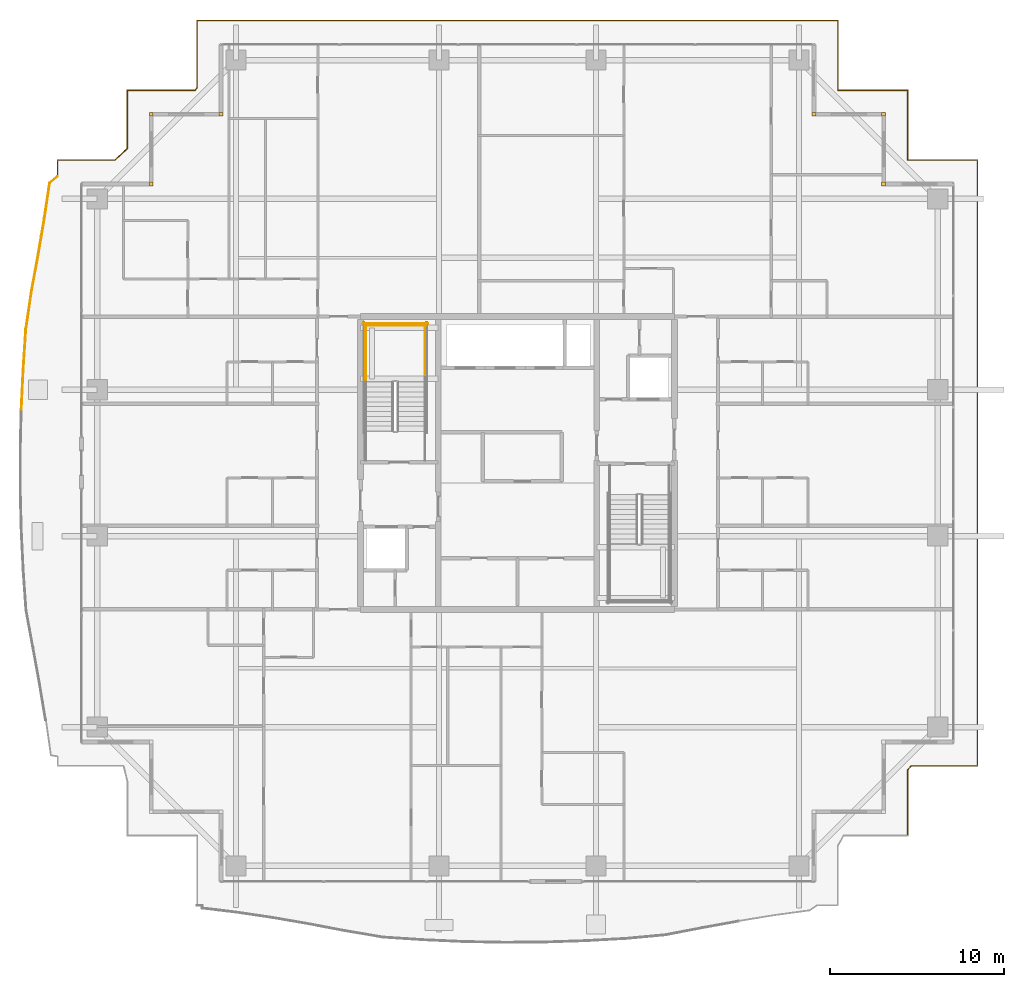
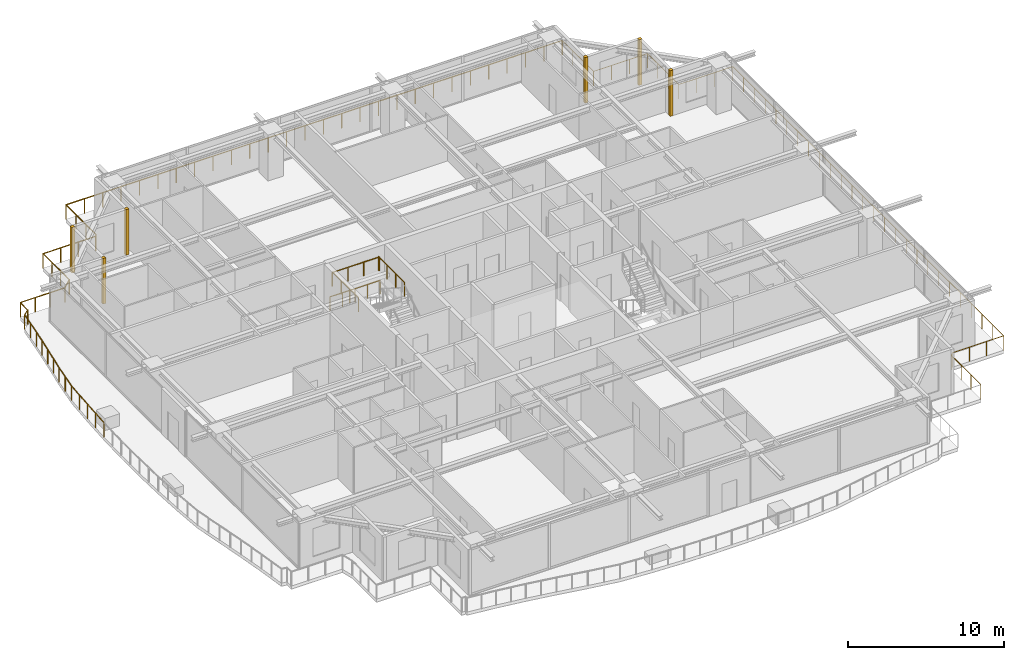
# One storey, part 36 of 36: 7 railings, 6 coverings.
"""IFC4 building model written with IfcOpenShell, lengths in metres."""

from ifc_helpers import new_model, si_unit, direction, frame, origin, origin_2d, place, context, subcontext, project, spatial, rectangle, circle, extrude, source, transform, mapped, material, layer, layer_set, type_object, element, save


model = new_model("IFC4")

# Units and contexts
model_context = context("Model", 3, precision=1e-05, world=origin(), true_north=direction((0.0, 1.0)))
body_context = subcontext(model_context, "Body", "Model", "MODEL_VIEW")
ifc_project = project(units=[si_unit("LENGTHUNIT", "METRE"), si_unit("AREAUNIT", "SQUARE_METRE"), si_unit("VOLUMEUNIT", "CUBIC_METRE"), si_unit("PLANEANGLEUNIT", "RADIAN"), si_unit("MASSUNIT", "GRAM", prefix="KILO")], contexts=[model_context])

# Site, building, storey
site_placement = place(None, origin())
site = spatial("IfcSite", under=ifc_project, at=site_placement, CompositionType="ELEMENT")
building_placement = place(site_placement, origin())
building = spatial("IfcBuilding", under=site, at=building_placement, Name="Serunith Strait Residences", CompositionType="ELEMENT")
storey_placement = place(building_placement, frame((0.0, 0.0, 256.64990234375)))
storey = spatial("IfcBuildingStorey", under=building, at=storey_placement, Name="L64", CompositionType="ELEMENT", Elevation=256.64990234375)

# Railings
ifc_material_1 = material(Name="Stainless Steel & Laminated Glass Balustrade", Category="steel")
railing_type_1 = type_object("IfcRailingType", Name="RLG-BALC-1150", PredefinedType="BALUSTRADE", material=ifc_material_1)
railing_1_placement = place(storey_placement, frame((3.950439453125, 28.281982421875, -0.0498046875)))
element("IfcRailing", 1, at=railing_1_placement, inside=storey, type_object=railing_type_1, Name="L64 Swirling Balcony Perimeter Balustrade 3", PredefinedType="BALUSTRADE", context=body_context, shape_type="SweptSolid", body=[
    extrude(circle(Radius=0.02392578125, at=origin_2d()), frame((0.0, 0.001953125, 1.1259765625), z_axis=(0.046916050072, 0.998898835842, 0.0), x_axis=(-0.998898835842, 0.046916050072, 0.0)), (0.0, 0.0, 1.0), 2.30126953125),
    extrude(circle(Radius=0.02392578125, at=origin_2d()), frame((0.1083984375, 2.3046875, 1.1259765625), z_axis=(0.065999881091, 0.997819630843, 0.0), x_axis=(-0.997819630843, 0.065999881091, 0.0)), (0.0, 0.0, 1.0), 2.274658203125),
    extrude(circle(Radius=0.02392578125, at=origin_2d()), frame((0.2587890625, 4.578369140625, 1.1259765625), z_axis=(0.146132641664, 0.989265005466, 0.0), x_axis=(-0.989265005466, 0.146132641664, 0.0)), (0.0, 0.0, 1.0), 2.2080078125),
    extrude(circle(Radius=0.02392578125, at=origin_2d()), frame((0.58203125, 6.7666015625, 1.1259765625), z_axis=(0.180469325968, 0.983580613058, 0.0), x_axis=(-0.983580613058, 0.180469325968, 0.0)), (0.0, 0.0, 1.0), 2.138916015625),
    extrude(circle(Radius=0.02392578125, at=origin_2d()), frame((0.96875, 8.874267578125, 1.1259765625), z_axis=(0.167765574889, 0.985826917812, 0.0), x_axis=(-0.985826917812, 0.167765574889, 0.0)), (0.0, 0.0, 1.0), 2.088623046875),
    extrude(circle(Radius=0.02392578125, at=origin_2d()), frame((1.31982421875, 10.937255859375, 1.1259765625), z_axis=(0.14592090179, 0.989296260187, 0.0), x_axis=(-0.989296260187, 0.14592090179, 0.0)), (0.0, 0.0, 1.0), 2.053955078125),
    extrude(circle(Radius=0.02392578125, at=origin_2d()), frame((1.621337890625, 12.972412109375, 1.1259765625), z_axis=(0.762490570426, 0.646999327674, 0.0), x_axis=(-0.646999327674, 0.762490570426, 0.0)), (0.0, 0.0, 1.0), 0.585693359375),
    extrude(circle(Radius=0.02099609375, at=origin_2d()), origin(), (0.0, 0.0, 1.0), 1.099853515625),
    extrude(circle(Radius=0.02099609375, at=origin_2d()), frame((0.05419921875, 1.1513671875, 0.0)), (0.0, 0.0, 1.0), 1.099853515625),
    extrude(circle(Radius=0.02099609375, at=origin_2d()), frame((0.108154296875, 2.302734375, 0.0)), (0.0, 0.0, 1.0), 1.099853515625),
    extrude(circle(Radius=0.02099609375, at=origin_2d()), frame((0.183349609375, 3.439453125, 0.0)), (0.0, 0.0, 1.0), 1.099853515625),
    extrude(circle(Radius=0.02099609375, at=origin_2d()), frame((0.258544921875, 4.576416015625, 0.0)), (0.0, 0.0, 1.0), 1.099853515625),
    extrude(circle(Radius=0.02099609375, at=origin_2d()), frame((0.420166015625, 5.67041015625, 0.0)), (0.0, 0.0, 1.0), 1.099853515625),
    extrude(circle(Radius=0.02099609375, at=origin_2d()), frame((0.581787109375, 6.7646484375, 0.0)), (0.0, 0.0, 1.0), 1.099853515625),
    extrude(circle(Radius=0.02099609375, at=origin_2d()), frame((0.775146484375, 7.818359375, 0.0)), (0.0, 0.0, 1.0), 1.099853515625),
    extrude(circle(Radius=0.02099609375, at=origin_2d()), frame((0.968505859375, 8.872314453125, 0.0)), (0.0, 0.0, 1.0), 1.099853515625),
    extrude(circle(Radius=0.02099609375, at=origin_2d()), frame((1.14404296875, 9.90380859375, 0.0)), (0.0, 0.0, 1.0), 1.099853515625),
    extrude(circle(Radius=0.02099609375, at=origin_2d()), frame((1.319580078125, 10.935302734375, 0.0)), (0.0, 0.0, 1.0), 1.099853515625),
    extrude(circle(Radius=0.02099609375, at=origin_2d()), frame((1.4697265625, 11.953125, 0.0)), (0.0, 0.0, 1.0), 1.099853515625),
    extrude(circle(Radius=0.02099609375, at=origin_2d()), frame((1.619873046875, 12.97119140625, 0.0)), (0.0, 0.0, 1.0), 1.099853515625),
    extrude(circle(Radius=0.02099609375, at=origin_2d()), frame((2.069580078125, 13.352783203125, 0.0)), (0.0, 0.0, 1.0), 1.099853515625),
])
railing_2_placement = place(storey_placement, frame((6.02001953125, 41.634765625, -0.0498046875)))
element("IfcRailing", 2, at=railing_2_placement, inside=storey, type_object=railing_type_1, Name="L64 Swirling Balcony Perimeter Balustrade 4", PredefinedType="BALUSTRADE", context=body_context, shape_type="SweptSolid", body=[
    extrude(circle(Radius=0.02392578125, at=origin_2d()), frame((0.0, 0.001953125, 1.1259765625), z_axis=(0.0, 1.0, 0.0), x_axis=(-1.0, 0.0, 0.0)), (0.0, 0.0, 1.0), 0.94140625),
    extrude(circle(Radius=0.02392578125, at=origin_2d()), frame((0.001953125, 0.9453125, 1.1259765625), z_axis=(1.0, 0.0, 0.0), x_axis=(0.0, 1.0, 0.0)), (0.0, 0.0, 1.0), 3.294677734375),
    extrude(circle(Radius=0.02392578125, at=origin_2d()), frame((3.300048828125, 0.94677734375, 1.1259765625), z_axis=(0.729719355559, 0.683746782166, 0.0), x_axis=(-0.683746782166, 0.729719355559, 0.0)), (0.0, 0.0, 1.0), 0.957275390625),
    extrude(circle(Radius=0.02392578125, at=origin_2d()), frame((4.0, 1.6044921875, 1.1259765625), z_axis=(0.0, 1.0, 0.0), x_axis=(-1.0, 0.0, 0.0)), (0.0, 0.0, 1.0), 3.3388671875),
    extrude(circle(Radius=0.02392578125, at=origin_2d()), frame((4.001953125, 4.9453125, 1.1259765625), z_axis=(1.0, 0.0, 0.0), x_axis=(0.0, 1.0, 0.0)), (0.0, 0.0, 1.0), 3.89501953125),
    extrude(circle(Radius=0.02392578125, at=origin_2d()), frame((7.89990234375, 4.947021484375, 1.1259765625), z_axis=(0.547356223896, 0.836899733638, 0.0), x_axis=(-0.836899733638, 0.547356223896, 0.0)), (0.0, 0.0, 1.0), 0.1806640625),
    extrude(circle(Radius=0.02392578125, at=origin_2d()), frame((8.0, 5.101806640625, 1.1259765625), z_axis=(0.0, 1.0, 0.0), x_axis=(-1.0, 0.0, 0.0)), (0.0, 0.0, 1.0), 3.841552734375),
    extrude(circle(Radius=0.02392578125, at=origin_2d()), frame((8.001953125, 8.9453125, 1.1259765625), z_axis=(1.0, 0.0, 0.0), x_axis=(0.0, 1.0, 0.0)), (0.0, 0.0, 1.0), 36.756103515625),
    extrude(circle(Radius=0.02099609375, at=origin_2d()), origin(), (0.0, 0.0, 1.0), 1.099853515625),
    extrude(circle(Radius=0.02099609375, at=origin_2d()), frame((0.0, 0.9453125, 0.0)), (0.0, 0.0, 1.0), 1.099853515625),
    extrude(circle(Radius=0.02099609375, at=origin_2d()), frame((1.099609375, 0.9453125, 0.0)), (0.0, 0.0, 1.0), 1.099853515625),
    extrude(circle(Radius=0.02099609375, at=origin_2d()), frame((2.198974609375, 0.9453125, 0.0)), (0.0, 0.0, 1.0), 1.099853515625),
    extrude(circle(Radius=0.02099609375, at=origin_2d()), frame((3.298583984375, 0.9453125, 0.0)), (0.0, 0.0, 1.0), 1.099853515625),
    extrude(circle(Radius=0.02099609375, at=origin_2d()), frame((4.0, 1.6025390625, 0.0)), (0.0, 0.0, 1.0), 1.099853515625),
    extrude(circle(Radius=0.02099609375, at=origin_2d()), frame((4.0, 2.716796875, 0.0)), (0.0, 0.0, 1.0), 1.099853515625),
    extrude(circle(Radius=0.02099609375, at=origin_2d()), frame((4.0, 3.8310546875, 0.0)), (0.0, 0.0, 1.0), 1.099853515625),
    extrude(circle(Radius=0.02099609375, at=origin_2d()), frame((4.0, 4.9453125, 0.0)), (0.0, 0.0, 1.0), 1.099853515625),
    extrude(circle(Radius=0.02099609375, at=origin_2d()), frame((5.299560546875, 4.9453125, 0.0)), (0.0, 0.0, 1.0), 1.099853515625),
    extrude(circle(Radius=0.02099609375, at=origin_2d()), frame((6.599365234375, 4.9453125, 0.0)), (0.0, 0.0, 1.0), 1.099853515625),
    extrude(circle(Radius=0.02099609375, at=origin_2d()), frame((7.89892578125, 4.9453125, 0.0)), (0.0, 0.0, 1.0), 1.099853515625),
    extrude(circle(Radius=0.02099609375, at=origin_2d()), frame((8.0, 5.099853515625, 0.0)), (0.0, 0.0, 1.0), 1.099853515625),
    extrude(circle(Radius=0.02099609375, at=origin_2d()), frame((8.0, 6.381591796875, 0.0)), (0.0, 0.0, 1.0), 1.099853515625),
    extrude(circle(Radius=0.02099609375, at=origin_2d()), frame((8.0, 7.66357421875, 0.0)), (0.0, 0.0, 1.0), 1.099853515625),
    extrude(circle(Radius=0.02099609375, at=origin_2d()), frame((8.0, 8.9453125, 0.0)), (0.0, 0.0, 1.0), 1.099853515625),
    extrude(circle(Radius=0.02099609375, at=origin_2d()), frame((9.361572265625, 8.9453125, 0.0)), (0.0, 0.0, 1.0), 1.099853515625),
    extrude(circle(Radius=0.02099609375, at=origin_2d()), frame((10.722900390625, 8.9453125, 0.0)), (0.0, 0.0, 1.0), 1.099853515625),
    extrude(circle(Radius=0.02099609375, at=origin_2d()), frame((12.08447265625, 8.9453125, 0.0)), (0.0, 0.0, 1.0), 1.099853515625),
    extrude(circle(Radius=0.02099609375, at=origin_2d()), frame((13.446044921875, 8.9453125, 0.0)), (0.0, 0.0, 1.0), 1.099853515625),
    extrude(circle(Radius=0.02099609375, at=origin_2d()), frame((14.807373046875, 8.9453125, 0.0)), (0.0, 0.0, 1.0), 1.099853515625),
    extrude(circle(Radius=0.02099609375, at=origin_2d()), frame((16.1689453125, 8.9453125, 0.0)), (0.0, 0.0, 1.0), 1.099853515625),
    extrude(circle(Radius=0.02099609375, at=origin_2d()), frame((17.5302734375, 8.9453125, 0.0)), (0.0, 0.0, 1.0), 1.099853515625),
    extrude(circle(Radius=0.02099609375, at=origin_2d()), frame((18.891845703125, 8.9453125, 0.0)), (0.0, 0.0, 1.0), 1.099853515625),
    extrude(circle(Radius=0.02099609375, at=origin_2d()), frame((20.25341796875, 8.9453125, 0.0)), (0.0, 0.0, 1.0), 1.099853515625),
    extrude(circle(Radius=0.02099609375, at=origin_2d()), frame((21.61474609375, 8.9453125, 0.0)), (0.0, 0.0, 1.0), 1.099853515625),
    extrude(circle(Radius=0.02099609375, at=origin_2d()), frame((22.976318359375, 8.9453125, 0.0)), (0.0, 0.0, 1.0), 1.099853515625),
    extrude(circle(Radius=0.02099609375, at=origin_2d()), frame((24.337890625, 8.9453125, 0.0)), (0.0, 0.0, 1.0), 1.099853515625),
    extrude(circle(Radius=0.02099609375, at=origin_2d()), frame((25.69921875, 8.9453125, 0.0)), (0.0, 0.0, 1.0), 1.099853515625),
    extrude(circle(Radius=0.02099609375, at=origin_2d()), frame((27.060791015625, 8.9453125, 0.0)), (0.0, 0.0, 1.0), 1.099853515625),
    extrude(circle(Radius=0.02099609375, at=origin_2d()), frame((28.422119140625, 8.9453125, 0.0)), (0.0, 0.0, 1.0), 1.099853515625),
    extrude(circle(Radius=0.02099609375, at=origin_2d()), frame((29.78369140625, 8.9453125, 0.0)), (0.0, 0.0, 1.0), 1.099853515625),
    extrude(circle(Radius=0.02099609375, at=origin_2d()), frame((31.145263671875, 8.9453125, 0.0)), (0.0, 0.0, 1.0), 1.099853515625),
    extrude(circle(Radius=0.02099609375, at=origin_2d()), frame((32.506591796875, 8.9453125, 0.0)), (0.0, 0.0, 1.0), 1.099853515625),
    extrude(circle(Radius=0.02099609375, at=origin_2d()), frame((33.8681640625, 8.9453125, 0.0)), (0.0, 0.0, 1.0), 1.099853515625),
    extrude(circle(Radius=0.02099609375, at=origin_2d()), frame((35.229736328125, 8.9453125, 0.0)), (0.0, 0.0, 1.0), 1.099853515625),
    extrude(circle(Radius=0.02099609375, at=origin_2d()), frame((36.591064453125, 8.9453125, 0.0)), (0.0, 0.0, 1.0), 1.099853515625),
    extrude(circle(Radius=0.02099609375, at=origin_2d()), frame((37.95263671875, 8.9453125, 0.0)), (0.0, 0.0, 1.0), 1.099853515625),
    extrude(circle(Radius=0.02099609375, at=origin_2d()), frame((39.31396484375, 8.9453125, 0.0)), (0.0, 0.0, 1.0), 1.099853515625),
    extrude(circle(Radius=0.02099609375, at=origin_2d()), frame((40.675537109375, 8.9453125, 0.0)), (0.0, 0.0, 1.0), 1.099853515625),
    extrude(circle(Radius=0.02099609375, at=origin_2d()), frame((42.037109375, 8.9453125, 0.0)), (0.0, 0.0, 1.0), 1.099853515625),
    extrude(circle(Radius=0.02099609375, at=origin_2d()), frame((43.3984375, 8.9453125, 0.0)), (0.0, 0.0, 1.0), 1.099853515625),
    extrude(circle(Radius=0.02099609375, at=origin_2d()), frame((44.760009765625, 8.9453125, 0.0)), (0.0, 0.0, 1.0), 1.099853515625),
])
railing_3_placement = place(storey_placement, frame((50.780029296875, 50.580078125, -0.0498046875)))
element("IfcRailing", 3, at=railing_3_placement, inside=storey, type_object=railing_type_1, Name="L64 Swirling Balcony Perimeter Balustrade 5", PredefinedType="BALUSTRADE", context=body_context, shape_type="SweptSolid", body=[
    extrude(circle(Radius=0.02392578125, at=origin_2d()), frame((0.0, -0.001953125, 1.1259765625), z_axis=(0.0, -1.0, 0.0), x_axis=(1.0, 0.0, 0.0)), (0.0, 0.0, 1.0), 3.99609375),
    extrude(circle(Radius=0.02392578125, at=origin_2d()), frame((0.001953125, -4.0, 1.1259765625), z_axis=(1.0, 0.0, 0.0), x_axis=(0.0, 1.0, 0.0)), (0.0, 0.0, 1.0), 3.99609375),
    extrude(circle(Radius=0.02392578125, at=origin_2d()), frame((4.0, -4.001953125, 1.1259765625), z_axis=(0.0, -1.0, 0.0), x_axis=(1.0, 0.0, 0.0)), (0.0, 0.0, 1.0), 3.99609375),
    extrude(circle(Radius=0.02392578125, at=origin_2d()), frame((4.001953125, -8.0, 1.1259765625), z_axis=(1.0, 0.0, 0.0), x_axis=(0.0, 1.0, 0.0)), (0.0, 0.0, 1.0), 3.99609375),
    extrude(circle(Radius=0.02392578125, at=origin_2d()), frame((8.0, -8.001953125, 1.1259765625), z_axis=(0.0, -1.0, 0.0), x_axis=(1.0, 0.0, 0.0)), (0.0, 0.0, 1.0), 34.756103515625),
    extrude(circle(Radius=0.02392578125, at=origin_2d()), frame((7.998046875, -42.760009765625, 1.1259765625), z_axis=(-1.0, 0.0, 0.0), x_axis=(0.0, -1.0, 0.0)), (0.0, 0.0, 1.0), 3.801025390625),
    extrude(circle(Radius=0.02392578125, at=origin_2d()), frame((4.19384765625, -42.761474609375, 1.1259765625), z_axis=(-0.659789800433, -0.751450210756, 0.0), x_axis=(0.751450210756, -0.659789800433, 0.0)), (0.0, 0.0, 1.0), 0.291748046875),
    extrude(circle(Radius=0.02392578125, at=origin_2d()), frame((4.0, -42.984130859375, 1.1259765625), z_axis=(0.0, -1.0, 0.0), x_axis=(1.0, 0.0, 0.0)), (0.0, 0.0, 1.0), 3.77392578125),
    extrude(circle(Radius=0.02099609375, at=origin_2d()), origin(), (0.0, 0.0, 1.0), 1.099853515625),
    extrude(circle(Radius=0.02099609375, at=origin_2d()), frame((0.0, -1.333251953125, 0.0)), (0.0, 0.0, 1.0), 1.099853515625),
    extrude(circle(Radius=0.02099609375, at=origin_2d()), frame((0.0, -2.666748046875, 0.0)), (0.0, 0.0, 1.0), 1.099853515625),
    extrude(circle(Radius=0.02099609375, at=origin_2d()), frame((0.0, -4.0, 0.0)), (0.0, 0.0, 1.0), 1.099853515625),
    extrude(circle(Radius=0.02099609375, at=origin_2d()), frame((1.333251953125, -4.0, 0.0)), (0.0, 0.0, 1.0), 1.099853515625),
    extrude(circle(Radius=0.02099609375, at=origin_2d()), frame((2.666748046875, -4.0, 0.0)), (0.0, 0.0, 1.0), 1.099853515625),
    extrude(circle(Radius=0.02099609375, at=origin_2d()), frame((4.0, -4.0, 0.0)), (0.0, 0.0, 1.0), 1.099853515625),
    extrude(circle(Radius=0.02099609375, at=origin_2d()), frame((4.0, -5.333251953125, 0.0)), (0.0, 0.0, 1.0), 1.099853515625),
    extrude(circle(Radius=0.02099609375, at=origin_2d()), frame((4.0, -6.666748046875, 0.0)), (0.0, 0.0, 1.0), 1.099853515625),
    extrude(circle(Radius=0.02099609375, at=origin_2d()), frame((4.0, -8.0, 0.0)), (0.0, 0.0, 1.0), 1.099853515625),
    extrude(circle(Radius=0.02099609375, at=origin_2d()), frame((5.333251953125, -8.0, 0.0)), (0.0, 0.0, 1.0), 1.099853515625),
    extrude(circle(Radius=0.02099609375, at=origin_2d()), frame((6.666748046875, -8.0, 0.0)), (0.0, 0.0, 1.0), 1.099853515625),
    extrude(circle(Radius=0.02099609375, at=origin_2d()), frame((8.0, -8.0, 0.0)), (0.0, 0.0, 1.0), 1.099853515625),
    extrude(circle(Radius=0.02099609375, at=origin_2d()), frame((8.0, -9.390380859375, 0.0)), (0.0, 0.0, 1.0), 1.099853515625),
    extrude(circle(Radius=0.02099609375, at=origin_2d()), frame((8.0, -10.78076171875, 0.0)), (0.0, 0.0, 1.0), 1.099853515625),
    extrude(circle(Radius=0.02099609375, at=origin_2d()), frame((8.0, -12.171142578125, 0.0)), (0.0, 0.0, 1.0), 1.099853515625),
    extrude(circle(Radius=0.02099609375, at=origin_2d()), frame((8.0, -13.5615234375, 0.0)), (0.0, 0.0, 1.0), 1.099853515625),
    extrude(circle(Radius=0.02099609375, at=origin_2d()), frame((8.0, -14.951904296875, 0.0)), (0.0, 0.0, 1.0), 1.099853515625),
    extrude(circle(Radius=0.02099609375, at=origin_2d()), frame((8.0, -16.34228515625, 0.0)), (0.0, 0.0, 1.0), 1.099853515625),
    extrude(circle(Radius=0.02099609375, at=origin_2d()), frame((8.0, -17.73291015625, 0.0)), (0.0, 0.0, 1.0), 1.099853515625),
    extrude(circle(Radius=0.02099609375, at=origin_2d()), frame((8.0, -19.123291015625, 0.0)), (0.0, 0.0, 1.0), 1.099853515625),
    extrude(circle(Radius=0.02099609375, at=origin_2d()), frame((8.0, -20.513671875, 0.0)), (0.0, 0.0, 1.0), 1.099853515625),
    extrude(circle(Radius=0.02099609375, at=origin_2d()), frame((8.0, -21.904052734375, 0.0)), (0.0, 0.0, 1.0), 1.099853515625),
    extrude(circle(Radius=0.02099609375, at=origin_2d()), frame((8.0, -23.29443359375, 0.0)), (0.0, 0.0, 1.0), 1.099853515625),
    extrude(circle(Radius=0.02099609375, at=origin_2d()), frame((8.0, -24.684814453125, 0.0)), (0.0, 0.0, 1.0), 1.099853515625),
    extrude(circle(Radius=0.02099609375, at=origin_2d()), frame((8.0, -26.0751953125, 0.0)), (0.0, 0.0, 1.0), 1.099853515625),
    extrude(circle(Radius=0.02099609375, at=origin_2d()), frame((8.0, -27.465576171875, 0.0)), (0.0, 0.0, 1.0), 1.099853515625),
    extrude(circle(Radius=0.02099609375, at=origin_2d()), frame((8.0, -28.85595703125, 0.0)), (0.0, 0.0, 1.0), 1.099853515625),
    extrude(circle(Radius=0.02099609375, at=origin_2d()), frame((8.0, -30.246337890625, 0.0)), (0.0, 0.0, 1.0), 1.099853515625),
    extrude(circle(Radius=0.02099609375, at=origin_2d()), frame((8.0, -31.63671875, 0.0)), (0.0, 0.0, 1.0), 1.099853515625),
    extrude(circle(Radius=0.02099609375, at=origin_2d()), frame((8.0, -33.027099609375, 0.0)), (0.0, 0.0, 1.0), 1.099853515625),
    extrude(circle(Radius=0.02099609375, at=origin_2d()), frame((8.0, -34.417724609375, 0.0)), (0.0, 0.0, 1.0), 1.099853515625),
    extrude(circle(Radius=0.02099609375, at=origin_2d()), frame((8.0, -35.80810546875, 0.0)), (0.0, 0.0, 1.0), 1.099853515625),
    extrude(circle(Radius=0.02099609375, at=origin_2d()), frame((8.0, -37.198486328125, 0.0)), (0.0, 0.0, 1.0), 1.099853515625),
    extrude(circle(Radius=0.02099609375, at=origin_2d()), frame((8.0, -38.5888671875, 0.0)), (0.0, 0.0, 1.0), 1.099853515625),
    extrude(circle(Radius=0.02099609375, at=origin_2d()), frame((8.0, -39.979248046875, 0.0)), (0.0, 0.0, 1.0), 1.099853515625),
    extrude(circle(Radius=0.02099609375, at=origin_2d()), frame((8.0, -41.36962890625, 0.0)), (0.0, 0.0, 1.0), 1.099853515625),
    extrude(circle(Radius=0.02099609375, at=origin_2d()), frame((8.0, -42.760009765625, 0.0)), (0.0, 0.0, 1.0), 1.099853515625),
    extrude(circle(Radius=0.02099609375, at=origin_2d()), frame((6.731689453125, -42.760009765625, 0.0)), (0.0, 0.0, 1.0), 1.099853515625),
    extrude(circle(Radius=0.02099609375, at=origin_2d()), frame((5.46337890625, -42.760009765625, 0.0)), (0.0, 0.0, 1.0), 1.099853515625),
    extrude(circle(Radius=0.02099609375, at=origin_2d()), frame((4.195068359375, -42.760009765625, 0.0)), (0.0, 0.0, 1.0), 1.099853515625),
    extrude(circle(Radius=0.02099609375, at=origin_2d()), frame((4.0, -42.982177734375, 0.0)), (0.0, 0.0, 1.0), 1.099853515625),
    extrude(circle(Radius=0.02099609375, at=origin_2d()), frame((4.0, -44.241455078125, 0.0)), (0.0, 0.0, 1.0), 1.099853515625),
    extrude(circle(Radius=0.02099609375, at=origin_2d()), frame((4.0, -45.500732421875, 0.0)), (0.0, 0.0, 1.0), 1.099853515625),
    extrude(circle(Radius=0.02099609375, at=origin_2d()), frame((4.0, -46.760009765625, 0.0)), (0.0, 0.0, 1.0), 1.099853515625),
])
ifc_material_2 = material(Name="Brushed stainless steel 316L", Category="steel")
railing_type_2 = type_object("IfcRailingType", Name="RLG-STAIR-GUARD", PredefinedType="BALUSTRADE", material=ifc_material_2)
for number, where, name in (
    (4, (27.10009765625, 29.830078125, 1.925048828125), "L64 ST-1 stair guard 3"),
    (5, (23.699951171875, 29.830078125, 1.925048828125), "L64 ST-1 stair guard 4"),
):
    element("IfcRailing", number, at=place(storey_placement, frame(where)), inside=storey, type_object=railing_type_2, Name=name, PredefinedType="BALUSTRADE", context=body_context, shape_type="SweptSolid", body=[
        extrude(circle(Radius=0.02392578125, at=origin_2d()), frame((0.0, 0.001953125, 1.076171875), z_axis=(0.0, 1.0, 0.0), x_axis=(-1.0, 0.0, 0.0)), (0.0, 0.0, 1.0), 3.31591796875),
        extrude(circle(Radius=0.02099609375, at=origin_2d()), origin(), (0.0, 0.0, 1.0), 1.050048828125),
        extrude(circle(Radius=0.02099609375, at=origin_2d()), frame((0.0, 1.106689453125, 0.0)), (0.0, 0.0, 1.0), 1.050048828125),
        extrude(circle(Radius=0.02099609375, at=origin_2d()), frame((0.0, 2.213134765625, 0.0)), (0.0, 0.0, 1.0), 1.050048828125),
        extrude(circle(Radius=0.02099609375, at=origin_2d()), frame((0.0, 3.31982421875, 0.0)), (0.0, 0.0, 1.0), 1.050048828125),
    ])
railing_4_placement = place(storey_placement, frame((27.14990234375, 33.10009765625, 1.925048828125)))
element("IfcRailing", 6, at=railing_4_placement, inside=storey, type_object=railing_type_2, Name="L64 ST-1 stair guard 5", PredefinedType="BALUSTRADE", context=body_context, shape_type="SweptSolid", body=[
    extrude(circle(Radius=0.02392578125, at=origin_2d()), frame((-0.001953125, 0.0, 1.076171875), z_axis=(-1.0, 0.0, 0.0), x_axis=(0.0, -1.0, 0.0)), (0.0, 0.0, 1.0), 3.49609375),
    extrude(circle(Radius=0.02099609375, at=origin_2d()), origin(), (0.0, 0.0, 1.0), 1.050048828125),
    extrude(circle(Radius=0.02099609375, at=origin_2d()), frame((-1.166748046875, 0.0, 0.0)), (0.0, 0.0, 1.0), 1.050048828125),
    extrude(circle(Radius=0.02099609375, at=origin_2d()), frame((-2.333251953125, 0.0, 0.0)), (0.0, 0.0, 1.0), 1.050048828125),
    extrude(circle(Radius=0.02099609375, at=origin_2d()), frame((-3.5, 0.0, 0.0)), (0.0, 0.0, 1.0), 1.050048828125),
])
railing_5_placement = place(storey_placement, frame((27.25, 33.199951171875, 0.0)))
element("IfcRailing", 7, at=railing_5_placement, inside=storey, type_object=railing_type_2, Name="L64 ST-1 stair guard 12", PredefinedType="BALUSTRADE", context=body_context, shape_type="SweptSolid", body=[
    extrude(circle(Radius=0.02392578125, at=origin_2d()), frame((-0.001953125, 0.0, 1.076171875), z_axis=(-1.0, 0.0, 0.0), x_axis=(0.0, -1.0, 0.0)), (0.0, 0.0, 1.0), 3.696044921875),
    extrude(circle(Radius=0.02099609375, at=origin_2d()), origin(), (0.0, 0.0, 1.0), 1.050048828125),
    extrude(circle(Radius=0.02099609375, at=origin_2d()), frame((-0.925048828125, 0.0, 0.0)), (0.0, 0.0, 1.0), 1.050048828125),
    extrude(circle(Radius=0.02099609375, at=origin_2d()), frame((-1.85009765625, 0.0, 0.0)), (0.0, 0.0, 1.0), 1.050048828125),
    extrude(circle(Radius=0.02099609375, at=origin_2d()), frame((-2.77490234375, 0.0, 0.0)), (0.0, 0.0, 1.0), 1.050048828125),
    extrude(circle(Radius=0.02099609375, at=origin_2d()), frame((-3.699951171875, 0.0, 0.0)), (0.0, 0.0, 1.0), 1.050048828125),
])

# Coverings
ifc_material_3 = material(Name="Pale-Champagne Anodised Aluminium", Category="aluminium")
ifc_layer = layer(ifc_material_3, 0.219970703125, Name="Pale-Champagne Anodised Aluminium")
ifc_layer_set = layer_set([ifc_layer], Name="Pale-Champagne Anodised Aluminium")
covering_type = type_object("IfcCoveringType", Name="COV-CORN-TRIM", PredefinedType="CLADDING", material=ifc_layer_set)
shared_shape = source(origin(), body_context, "Body", "SweptSolid", [
    extrude(rectangle(XDim=0.221923828125, YDim=0.221923828125, at=origin_2d()), origin(), (0.0, 0.0, 1.0), 3.574951171875),
])
for number, where, z_axis, x_axis, name in (
    (8, (53.39990234375, 41.199951171875, 0.0), (0.0, 0.0, 1.0), (1.0, 0.0, 0.0), "L64 Girih Serrated Corner Trim Post 07"),
    (9, (53.39990234375, 45.199951171875, 0.0), (0.0, 0.0, 1.0), (1.0, 0.0, 0.0), "L64 Girih Serrated Corner Trim Post 08"),
    (10, (49.39990234375, 45.199951171875, 0.0), (0.0, 0.0, 1.0), (1.0, 0.0, 0.0), "L64 Girih Serrated Corner Trim Post 09"),
    (11, (15.39990234375, 45.199951171875, 0.0), (0.0, 0.0, 1.0), (1.0, 0.0, 0.0), "L64 Girih Serrated Corner Trim Post 12"),
    (12, (11.39990234375, 45.199951171875, 0.0), (0.0, 0.0, 1.0), (1.0, 0.0, 0.0), "L64 Girih Serrated Corner Trim Post 13"),
    (13, (11.39990234375, 41.199951171875, 0.0), (0.0, 0.0, 1.0), (1.0, 0.0, 0.0), "L64 Girih Serrated Corner Trim Post 14"),
):
    element("IfcCovering", number, at=place(storey_placement, frame(where, z_axis=z_axis, x_axis=x_axis)), inside=storey, type_object=covering_type, Name=name, PredefinedType="CLADDING", context=body_context, shape_type="MappedRepresentation", body=[
        mapped(shared_shape, transform((0.0, 0.0, 0.0), scale=1.0)),
    ])

save(model, "model.ifc")
